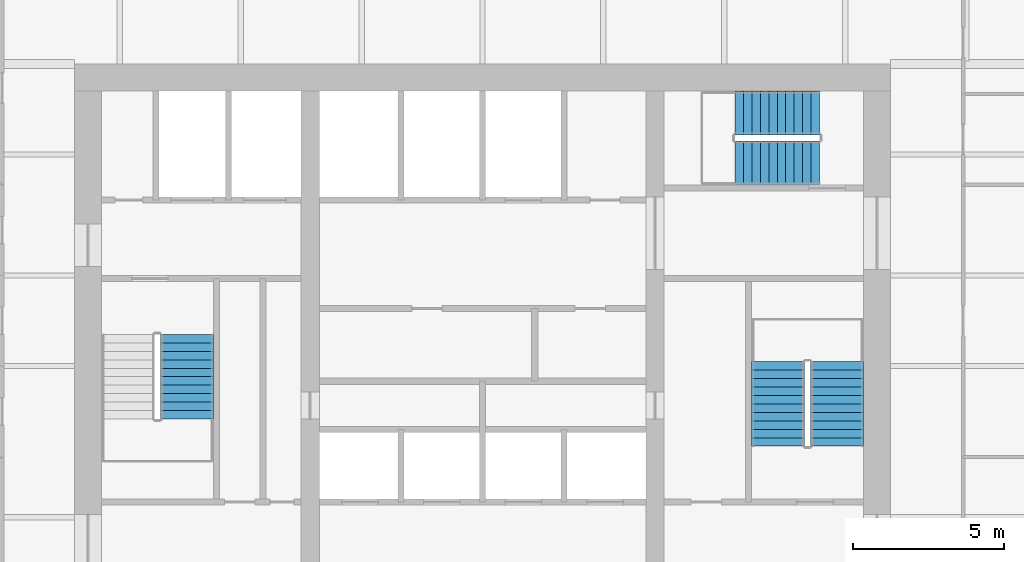
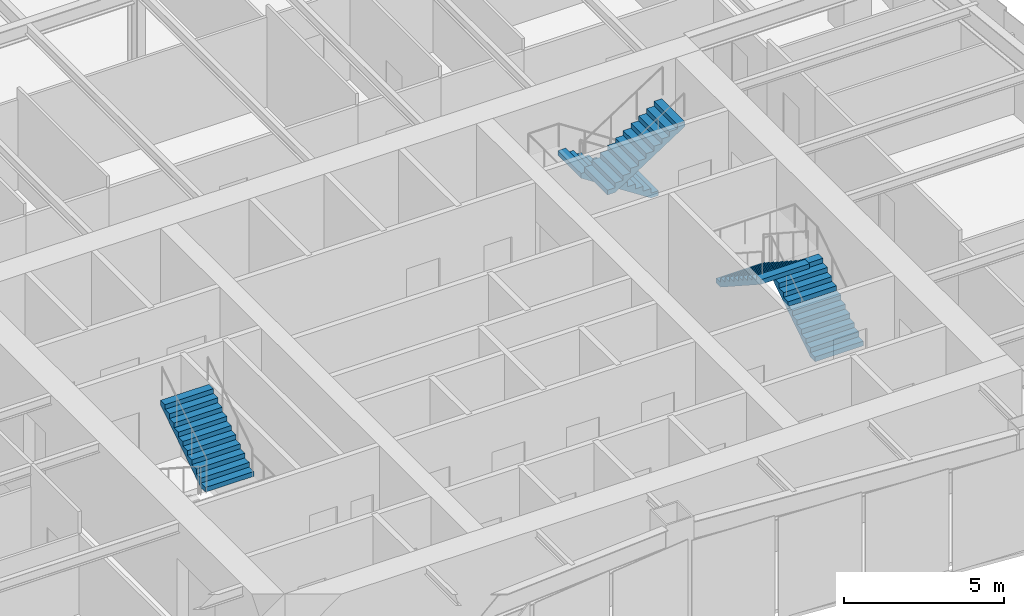
# One storey, part 8 of 10: 5 stair flights, 3 elements without a shape of their own.
"""IFC4 building model written with IfcOpenShell, lengths in metres."""

import ifcopenshell
import ifcopenshell.guid

model = None  # the IFC model being written
_history = None  # IfcOwnerHistory: only IFC2X3 demands one
_inside = {}  # id of a spatial element -> (the spatial element, [elements in it])
_under = {}  # id of a project, library or spatial element -> (it, [spatial elements below it])
_declared = {}  # id of a project -> (the project, [libraries it declares])
_typed = {}  # id of a type object -> (the type object, [elements of that type])
_made_of = {}  # id of a material, layer set ... -> (it, [elements and type objects made of it])


def new_model(schema):
    """Start an empty IFC model of exactly this schema.

    Asked for "IFC4X3", IfcOpenShell would pick the latest addendum, in which some entities
    have other attributes; the version numbers below select the first issue.
    IFC2X3 requires an IfcOwnerHistory on every rooted entity: one is made here for all.
    """
    global model, _history
    if schema == "IFC4X3":
        model = ifcopenshell.file(schema_version=(4, 3, 0, 0))
    else:
        model = ifcopenshell.file(schema=schema)
    _inside.clear()
    _under.clear()
    _declared.clear()
    _typed.clear()
    _made_of.clear()
    _history = None
    if model.schema == "IFC2X3":
        org = make("IfcOrganization", Name="unknown")
        user = make(
            "IfcPersonAndOrganization",
            ThePerson=make("IfcPerson", FamilyName="unknown"),
            TheOrganization=org,
        )
        app = make(
            "IfcApplication",
            ApplicationDeveloper=org,
            Version="unknown",
            ApplicationFullName="unknown",
            ApplicationIdentifier="unknown",
        )
        _history = make(
            "IfcOwnerHistory",
            OwningUser=user,
            OwningApplication=app,
            ChangeAction="ADDED",
            CreationDate=0,
        )
    return model


def make(cls, **values):
    """One entity of the class cls with the attributes given. An attribute that is None is left unset."""
    return model.create_entity(
        cls, **{name: value for name, value in values.items() if value is not None}
    )


def rooted(cls, **values):
    """An entity with a GlobalId (a new one), such as an element, a storey or a relation."""
    return make(cls, GlobalId=ifcopenshell.guid.new(), OwnerHistory=_history, **values)


def si_unit(unit_type, name, prefix=None):
    """IfcSIUnit, for example si_unit("LENGTHUNIT", "METRE", prefix="MILLI")."""
    return make("IfcSIUnit", UnitType=unit_type, Prefix=prefix, Name=name)


def assignment(units):
    """IfcUnitAssignment: the units of a project."""
    return None if units is None else make("IfcUnitAssignment", Units=units)


def point(xyz):
    """IfcCartesianPoint."""
    return None if xyz is None else make("IfcCartesianPoint", Coordinates=xyz)


def direction(xyz):
    """IfcDirection."""
    return None if xyz is None else make("IfcDirection", DirectionRatios=xyz)


def frame(location, z_axis=None, x_axis=None):
    """IfcAxis2Placement3D, a coordinate frame: its origin and axes. An axis left out is left unset."""
    return make(
        "IfcAxis2Placement3D",
        Location=point(location),
        Axis=direction(z_axis),
        RefDirection=direction(x_axis),
    )


def origin():
    """The frame at (0, 0, 0) with its axes left unset."""
    return frame((0.0, 0.0, 0.0))


def place(relative_to, where):
    """IfcLocalPlacement: puts the frame where relative to a parent placement (None: the world)."""
    return make(
        "IfcLocalPlacement", PlacementRelTo=relative_to, RelativePlacement=where
    )


def context(
    kind, dimensions, precision=None, world=None, true_north=None, identifier=None
):
    """IfcGeometricRepresentationContext, for example the 3D "Model" context."""
    return make(
        "IfcGeometricRepresentationContext",
        ContextIdentifier=identifier,
        ContextType=kind,
        CoordinateSpaceDimension=dimensions,
        Precision=precision,
        WorldCoordinateSystem=world,
        TrueNorth=true_north,
    )


def subcontext(parent, identifier, kind, view, scale=None):
    """IfcGeometricRepresentationSubContext, for example "Body" below "Model"."""
    return make(
        "IfcGeometricRepresentationSubContext",
        ContextIdentifier=identifier,
        ContextType=kind,
        ParentContext=parent,
        TargetScale=scale,
        TargetView=view,
    )


def project(units=None, contexts=None):
    """IfcProject with its units and contexts."""
    return rooted(
        "IfcProject",
        Name="project",
        RepresentationContexts=contexts,
        UnitsInContext=assignment(units),
    )


def spatial(cls, under=None, at=None, **own):
    """A site, building, storey or space (cls), placed at a placement, below another one or the project."""
    s = rooted(cls, ObjectPlacement=at, **own)
    if under is not None:
        _under.setdefault(under.id(), (under, []))[1].append(s)
    return s


def polyline(points):
    """IfcPolyline through the points."""
    return make("IfcPolyline", Points=[point(p) for p in points])


def outline(outer, holes=None, kind="AREA"):
    """IfcArbitraryClosedProfileDef: a profile drawn as a closed curve; with holes, ...WithVoids."""
    if holes is None:
        return make("IfcArbitraryClosedProfileDef", ProfileType=kind, OuterCurve=outer)
    return make(
        "IfcArbitraryProfileDefWithVoids",
        ProfileType=kind,
        OuterCurve=outer,
        InnerCurves=holes,
    )


def extrude(swept, where, along, depth):
    """IfcExtrudedAreaSolid: the profile swept, set in the frame where, extruded along a direction by depth."""
    return make(
        "IfcExtrudedAreaSolid",
        SweptArea=swept,
        Position=where,
        ExtrudedDirection=direction(along),
        Depth=depth,
    )


def shape(context_of_items, identifier, shape_type, items):
    """IfcShapeRepresentation: the items that make up one representation, for example the "Body"."""
    return make(
        "IfcShapeRepresentation",
        ContextOfItems=context_of_items,
        RepresentationIdentifier=identifier,
        RepresentationType=shape_type,
        Items=items,
    )


def material(Name=None, Category=None):
    """IfcMaterial."""
    return make("IfcMaterial", Name=Name, Category=Category)


def made_of(thing, what):
    """Note that an element or type object is made of a material, layer set ...; save() writes the relation."""
    if what is not None:
        _made_of.setdefault(what.id(), (what, []))[1].append(thing)
    return thing


def type_object(cls, material=None, **own):
    """A type object (cls), such as IfcWallType, which elements share."""
    return made_of(rooted(cls, **own), material)


def element(
    cls,
    number,
    at=None,
    inside=None,
    cuts=None,
    type_object=None,
    material=None,
    context=None,
    identifier="Body",
    shape_type=None,
    held_by="IfcProductDefinitionShape",
    body=None,
    shapes=None,
    **own,
):
    """One element of the class cls, such as IfcWall. Its Tag is "e" and its number.

    at: its placement. inside: the storey or other place that contains it. cuts: it is an
    opening in that element (IfcRelVoidsElement). A single representation is given by context,
    identifier, shape_type and body (its items); several are given by shapes. held_by: the class
    of the entity that holds the representations. save() writes the other relations.
    """
    e = rooted(cls, Tag="e%d" % number, ObjectPlacement=at, **own)
    if body is not None:
        shapes = [shape(context, identifier, shape_type, body)]
    if shapes is not None:
        e.Representation = make(held_by, Representations=shapes)
    if inside is not None:
        _inside.setdefault(inside.id(), (inside, []))[1].append(e)
    if cuts is not None:
        rooted(
            "IfcRelVoidsElement", RelatingBuildingElement=cuts, RelatedOpeningElement=e
        )
    if type_object is not None:
        _typed.setdefault(type_object.id(), (type_object, []))[1].append(e)
    return made_of(e, material)


def aggregate(whole, parts):
    """IfcRelAggregates: a whole, such as a stair, and the parts it consists of."""
    return rooted("IfcRelAggregates", RelatingObject=whole, RelatedObjects=parts)


def save(model, path):
    """Write the relations noted so far, then the file.

    IfcRelAggregates (storeys below a building ...), IfcRelContainedInSpatialStructure (elements
    in a storey), IfcRelDefinesByType, IfcRelAssociatesMaterial and IfcRelDeclares: one each for
    every whole, place, type object, material and project.
    """
    for whole, parts in _under.values():
        aggregate(whole, parts)
    for where, things in _inside.values():
        rooted(
            "IfcRelContainedInSpatialStructure",
            RelatedElements=things,
            RelatingStructure=where,
        )
    for kind, things in _typed.values():
        rooted("IfcRelDefinesByType", RelatedObjects=things, RelatingType=kind)
    for what, things in _made_of.values():
        rooted("IfcRelAssociatesMaterial", RelatedObjects=things, RelatingMaterial=what)
    for by, libraries in _declared.values():
        rooted("IfcRelDeclares", RelatingContext=by, RelatedDefinitions=libraries)
    model.write(path)


model = new_model("IFC4")

# Units and contexts
model_context = context("Model", 3, precision=1e-05, world=origin(), true_north=direction((0.0, 1.0)))
body_context = subcontext(model_context, "Body", "Model", "MODEL_VIEW")
ifc_project = project(units=[si_unit("LENGTHUNIT", "METRE"), si_unit("AREAUNIT", "SQUARE_METRE"), si_unit("VOLUMEUNIT", "CUBIC_METRE"), si_unit("PLANEANGLEUNIT", "RADIAN"), si_unit("MASSUNIT", "GRAM", prefix="KILO")], contexts=[model_context])

# Site, building, storey
site_placement = place(None, origin())
site = spatial("IfcSite", under=ifc_project, at=site_placement, CompositionType="ELEMENT")
building_placement = place(site_placement, origin())
building = spatial("IfcBuilding", under=site, at=building_placement, Name="Verdant Reach Tower", CompositionType="ELEMENT")
storey_placement = place(building_placement, frame((0.0, 0.0, 190.0)))
storey = spatial("IfcBuildingStorey", under=building, at=storey_placement, Name="L43", CompositionType="ELEMENT", Elevation=190.0)

# Stair, stair flight
ifc_material = material(Name="Concrete C40/50", Category="concrete")
stair_type = type_object("IfcStairType", Name="CO-STAIR", PredefinedType="HALF_TURN_STAIR", material=ifc_material)
stair_1_placement = place(storey_placement, origin())
stair_1 = element("IfcStair", 1, at=stair_1_placement, inside=storey, type_object=stair_type, Name="L43 Exit stair 1", PredefinedType="HALF_TURN_STAIR")
stair_flight_type = type_object("IfcStairFlightType", Name="CO-STAIR-FLIGHT", PredefinedType="STRAIGHT", material=ifc_material)
stair_flight_1_placement = place(storey_placement, frame((-9.77490234375, 26.75, 2.0), z_axis=(0.0, 0.0, 1.0), x_axis=(0.0, 1.0, 0.0)))
stair_flight_1 = element("IfcStairFlight", 2, at=stair_flight_1_placement, type_object=stair_flight_type, Name="ST-1 flight 2", NumberOfRisers=11, NumberOfTreads=10, PredefinedType="STRAIGHT", RiserHeight=0.181818182, TreadLength=0.28, context=body_context, shape_type="SweptSolid", body=[
    extrude(outline(polyline([(0.0, 0.0), (0.0, 0.181884765625), (0.280029296875, 0.181884765625), (0.280029296875, 0.363525390625), (0.56005859375, 0.363525390625), (0.56005859375, 0.54541015625), (0.840087890625, 0.54541015625), (0.840087890625, 0.727294921875), (1.1201171875, 0.727294921875), (1.1201171875, 0.9091796875), (1.39990234375, 0.9091796875), (1.39990234375, 1.0908203125), (1.679931640625, 1.0908203125), (1.679931640625, 1.272705078125), (1.9599609375, 1.272705078125), (1.9599609375, 1.45458984375), (2.239990234375, 1.45458984375), (2.239990234375, 1.636474609375), (2.52001953125, 1.636474609375), (2.52001953125, 1.818115234375), (2.800048828125, 1.818115234375), (2.800048828125, 2.0), (2.800048828125, 1.639404296875), (0.275146484375, 0.0), (0.0, 0.0)])), frame((0.0, 0.875, 0.0), z_axis=(0.0, -1.0, 0.0), x_axis=(1.0, 0.0, 0.0)), (0.0, 0.0, 1.0), 1.75),
])
aggregate(stair_1, [stair_flight_1])

# Stair, stair flights
stair_2_placement = place(storey_placement, origin())
stair_2 = element("IfcStair", 3, at=stair_2_placement, inside=storey, type_object=stair_type, Name="L43 Exit stair 2", PredefinedType="HALF_TURN_STAIR")
stair_flight_2_placement = place(storey_placement, frame((11.72509765625, 25.85009765625, 0.0), z_axis=(0.0, 0.0, 1.0), x_axis=(0.0, 1.0, 0.0)))
stair_flight_2 = element("IfcStairFlight", 4, at=stair_flight_2_placement, type_object=stair_flight_type, Name="ST-2 flight 1", NumberOfRisers=11, NumberOfTreads=10, PredefinedType="STRAIGHT", RiserHeight=0.181818182, TreadLength=0.28, context=body_context, shape_type="SweptSolid", body=[
    extrude(outline(polyline([(0.0, 0.0), (0.0, 0.181884765625), (0.280029296875, 0.181884765625), (0.280029296875, 0.363525390625), (0.56005859375, 0.363525390625), (0.56005859375, 0.54541015625), (0.840087890625, 0.54541015625), (0.840087890625, 0.727294921875), (1.1201171875, 0.727294921875), (1.1201171875, 0.9091796875), (1.39990234375, 0.9091796875), (1.39990234375, 1.0908203125), (1.679931640625, 1.0908203125), (1.679931640625, 1.272705078125), (1.9599609375, 1.272705078125), (1.9599609375, 1.45458984375), (2.239990234375, 1.45458984375), (2.239990234375, 1.636474609375), (2.52001953125, 1.636474609375), (2.52001953125, 1.818115234375), (2.800048828125, 1.818115234375), (2.800048828125, 2.0), (2.800048828125, 1.639404296875), (0.275146484375, 0.0), (0.0, 0.0)])), frame((0.0, 0.875, 0.0), z_axis=(0.0, -1.0, 0.0), x_axis=(1.0, 0.0, 0.0)), (0.0, 0.0, 1.0), 1.75),
])
stair_flight_3_placement = place(storey_placement, frame((9.77490234375, 28.64990234375, 2.0), z_axis=(0.0, 0.0, 1.0), x_axis=(0.0, -1.0, 0.0)))
stair_flight_3 = element("IfcStairFlight", 5, at=stair_flight_3_placement, type_object=stair_flight_type, Name="ST-2 flight 2", NumberOfRisers=11, NumberOfTreads=10, PredefinedType="STRAIGHT", RiserHeight=0.181818182, TreadLength=0.28, context=body_context, shape_type="SweptSolid", body=[
    extrude(outline(polyline([(0.0, 0.0), (0.0, 0.181884765625), (0.280029296875, 0.181884765625), (0.280029296875, 0.363525390625), (0.56005859375, 0.363525390625), (0.56005859375, 0.54541015625), (0.840087890625, 0.54541015625), (0.840087890625, 0.727294921875), (1.1201171875, 0.727294921875), (1.1201171875, 0.9091796875), (1.39990234375, 0.9091796875), (1.39990234375, 1.0908203125), (1.679931640625, 1.0908203125), (1.679931640625, 1.272705078125), (1.9599609375, 1.272705078125), (1.9599609375, 1.45458984375), (2.239990234375, 1.45458984375), (2.239990234375, 1.636474609375), (2.52001953125, 1.636474609375), (2.52001953125, 1.818115234375), (2.800048828125, 1.818115234375), (2.800048828125, 2.0), (2.800048828125, 1.639404296875), (0.275146484375, 0.0), (0.0, 0.0)])), frame((0.0, 0.875, 0.0), z_axis=(0.0, -1.0, 0.0), x_axis=(1.0, 0.0, 0.0)), (0.0, 0.0, 1.0), 1.75),
])
aggregate(stair_2, [stair_flight_2, stair_flight_3])

stair_3_placement = place(storey_placement, origin())
stair_3 = element("IfcStair", 6, at=stair_3_placement, inside=storey, type_object=stair_type, Name="L43 Exit stair 3", PredefinedType="HALF_TURN_STAIR")
stair_flight_4_placement = place(storey_placement, frame((11.14990234375, 36.875, 0.0), z_axis=(0.0, 0.0, 1.0), x_axis=(-1.0, 0.0, 0.0)))
stair_flight_4 = element("IfcStairFlight", 7, at=stair_flight_4_placement, type_object=stair_flight_type, Name="ST-3 flight 1", NumberOfRisers=11, NumberOfTreads=10, PredefinedType="STRAIGHT", RiserHeight=0.181818182, TreadLength=0.28, context=body_context, shape_type="SweptSolid", body=[
    extrude(outline(polyline([(0.0, 0.0), (0.0, 0.181884765625), (0.280029296875, 0.181884765625), (0.280029296875, 0.363525390625), (0.56005859375, 0.363525390625), (0.56005859375, 0.54541015625), (0.840087890625, 0.54541015625), (0.840087890625, 0.727294921875), (1.1201171875, 0.727294921875), (1.1201171875, 0.9091796875), (1.39990234375, 0.9091796875), (1.39990234375, 1.0908203125), (1.679931640625, 1.0908203125), (1.679931640625, 1.272705078125), (1.9599609375, 1.272705078125), (1.9599609375, 1.45458984375), (2.239990234375, 1.45458984375), (2.239990234375, 1.636474609375), (2.52001953125, 1.636474609375), (2.52001953125, 1.818115234375), (2.800048828125, 1.818115234375), (2.800048828125, 2.0), (2.800048828125, 1.639404296875), (0.275146484375, 0.0), (0.0, 0.0)])), frame((0.0, 0.72509765625, 0.0), z_axis=(0.0, -1.0, 0.0), x_axis=(1.0, 0.0, 0.0)), (0.0, 0.0, 1.0), 1.449951171875),
])
stair_flight_5_placement = place(storey_placement, frame((8.35009765625, 35.22509765625, 2.0), z_axis=(0.0, 0.0, 1.0), x_axis=(1.0, 0.0, 0.0)))
stair_flight_5 = element("IfcStairFlight", 8, at=stair_flight_5_placement, type_object=stair_flight_type, Name="ST-3 flight 2", NumberOfRisers=11, NumberOfTreads=10, PredefinedType="STRAIGHT", RiserHeight=0.181818182, TreadLength=0.28, context=body_context, shape_type="SweptSolid", body=[
    extrude(outline(polyline([(0.0, 0.0), (0.0, 0.181884765625), (0.280029296875, 0.181884765625), (0.280029296875, 0.363525390625), (0.56005859375, 0.363525390625), (0.56005859375, 0.54541015625), (0.840087890625, 0.54541015625), (0.840087890625, 0.727294921875), (1.1201171875, 0.727294921875), (1.1201171875, 0.9091796875), (1.39990234375, 0.9091796875), (1.39990234375, 1.0908203125), (1.679931640625, 1.0908203125), (1.679931640625, 1.272705078125), (1.9599609375, 1.272705078125), (1.9599609375, 1.45458984375), (2.239990234375, 1.45458984375), (2.239990234375, 1.636474609375), (2.52001953125, 1.636474609375), (2.52001953125, 1.818115234375), (2.800048828125, 1.818115234375), (2.800048828125, 2.0), (2.800048828125, 1.639404296875), (0.275146484375, 0.0), (0.0, 0.0)])), frame((0.0, 0.72509765625, 0.0), z_axis=(0.0, -1.0, 0.0), x_axis=(1.0, 0.0, 0.0)), (0.0, 0.0, 1.0), 1.449951171875),
])
aggregate(stair_3, [stair_flight_4, stair_flight_5])

save(model, "model.ifc")
